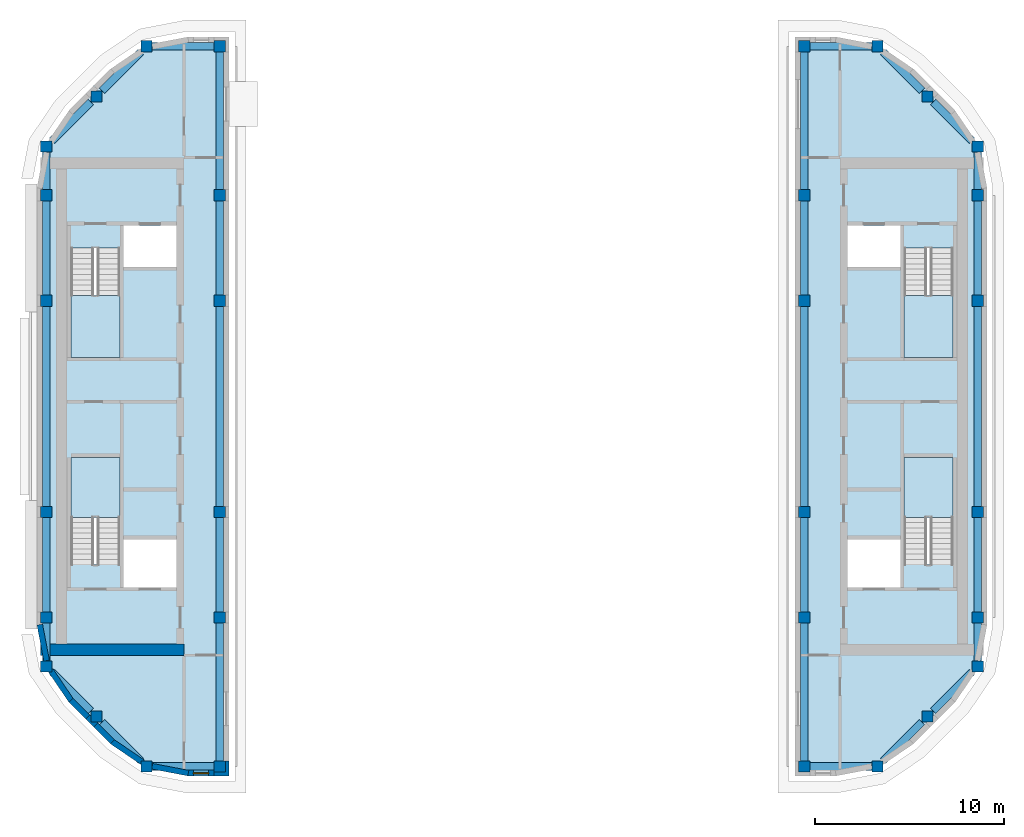
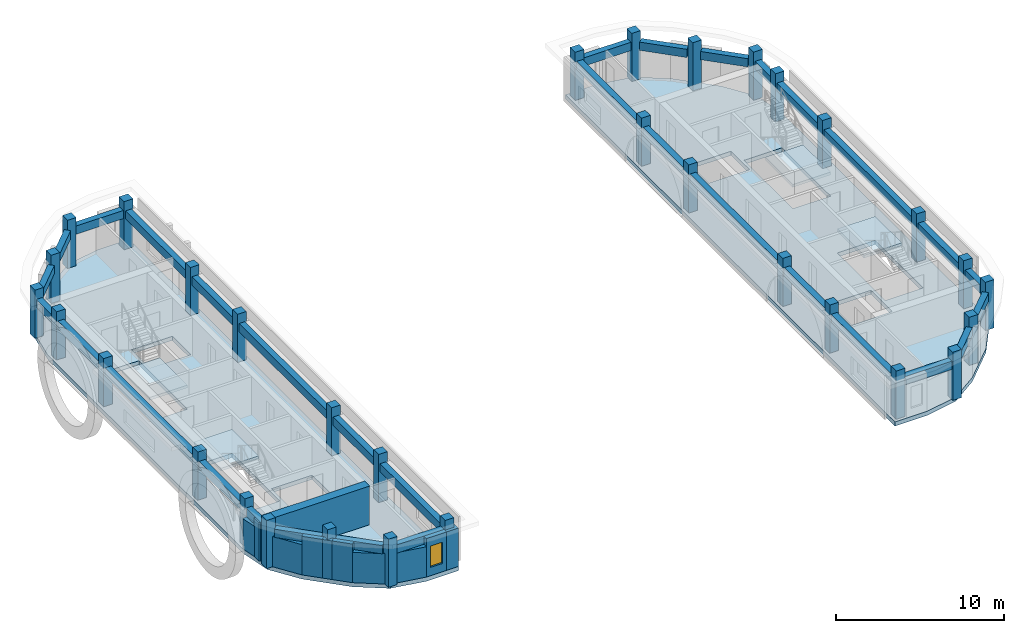
# One storey, part 1 of 12: 32 beams, 32 columns, 10 walls, 6 slabs, 1 window, 1 opening, 4 elements without a shape of their own.
"""IFC4 building model written with IfcOpenShell, lengths in metres."""

from ifc_helpers import new_model, si_unit, direction, frame, frame_2d, origin, origin_2d, place, context, subcontext, project, spatial, polyline, rectangle, outline, extrude, material, layer, layer_set, material_profile, profile_set, type_object, element, fill, aggregate, save


model = new_model("IFC4")

# Units and contexts
model_context = context("Model", 3, precision=1e-05, world=origin(), true_north=direction((0.0, 1.0)))
body_context = subcontext(model_context, "Body", "Model", "MODEL_VIEW")
ifc_project = project(units=[si_unit("LENGTHUNIT", "METRE"), si_unit("AREAUNIT", "SQUARE_METRE"), si_unit("VOLUMEUNIT", "CUBIC_METRE"), si_unit("PLANEANGLEUNIT", "RADIAN"), si_unit("MASSUNIT", "GRAM", prefix="KILO")], contexts=[model_context])

# Site, building, storey
site_placement = place(None, origin())
site = spatial("IfcSite", under=ifc_project, at=site_placement, CompositionType="ELEMENT")
building_placement = place(site_placement, origin())
building = spatial("IfcBuilding", under=site, at=building_placement, Name="Kiln Ring Residences", CompositionType="ELEMENT")
storey_placement = place(building_placement, frame((0.0, 0.0, 310.39990234375)))
storey = spatial("IfcBuildingStorey", under=building, at=storey_placement, Name="L80 Crown", CompositionType="ELEMENT", Elevation=310.39990234375)

# Columns
ifc_material_1 = material(Name="Concrete C60/75", Category="concrete")
ifc_material_profile_1 = material_profile(ifc_material_1, rectangle(XDim=0.60009765625, YDim=0.60009765625, at=origin_2d()), Name="RC600x600")
ifc_profile_set_1 = profile_set([ifc_material_profile_1], Name="Concrete C60/75")
column_type = type_object("IfcColumnType", Name="Crown column RC600x600 C60/75", PredefinedType="COLUMN", material=ifc_profile_set_1)
for number, where, z_axis, x_axis, name in (
    (1, (-24.699951171875, -13.79296875, 0.0), (0.0, 0.0, 1.0), (1.0, 0.0, 0.0), "Crown column L80 Crown 1"),
    (2, (-24.699951171875, -11.199951171875, 0.0), (0.0, 0.0, 1.0), (1.0, 0.0, 0.0), "Crown column L80 Crown 2"),
    (3, (-24.699951171875, -5.60009765625, 0.0), (0.0, 0.0, 1.0), (1.0, 0.0, 0.0), "Crown column L80 Crown 3"),
    (4, (-24.699951171875, 5.60009765625, 0.0), (0.0, 0.0, 1.0), (1.0, 0.0, 0.0), "Crown column L80 Crown 4"),
    (5, (-24.699951171875, 11.199951171875, 0.0), (0.0, 0.0, 1.0), (1.0, 0.0, 0.0), "Crown column L80 Crown 5"),
    (6, (-24.699951171875, 13.79296875, 0.0), (0.0, 0.0, 1.0), (1.0, 0.0, 0.0), "Crown column L80 Crown 6"),
    (7, (-22.04638671875, -16.4462890625, 0.0), (0.0, 0.0, 1.0), (1.0, 0.0, 0.0), "Crown column L80 Crown 7"),
    (8, (-22.04638671875, 16.4462890625, 0.0), (0.0, 0.0, 1.0), (1.0, 0.0, 0.0), "Crown column L80 Crown 8"),
    (9, (-19.392822265625, -19.10009765625, 0.0), (0.0, 0.0, 1.0), (1.0, 0.0, 0.0), "Crown column L80 Crown 9"),
    (10, (-19.392822265625, 19.10009765625, 0.0), (0.0, 0.0, 1.0), (1.0, 0.0, 0.0), "Crown column L80 Crown 10"),
    (11, (-15.5, -19.10009765625, 0.0), (0.0, 0.0, 1.0), (1.0, 0.0, 0.0), "Crown column L80 Crown 11"),
    (12, (-15.5, -11.199951171875, 0.0), (0.0, 0.0, 1.0), (1.0, 0.0, 0.0), "Crown column L80 Crown 12"),
    (13, (-15.5, -5.60009765625, 0.0), (0.0, 0.0, 1.0), (1.0, 0.0, 0.0), "Crown column L80 Crown 13"),
    (14, (-15.5, 5.60009765625, 0.0), (0.0, 0.0, 1.0), (1.0, 0.0, 0.0), "Crown column L80 Crown 14"),
    (15, (-15.5, 11.199951171875, 0.0), (0.0, 0.0, 1.0), (1.0, 0.0, 0.0), "Crown column L80 Crown 15"),
    (16, (-15.5, 19.10009765625, 0.0), (0.0, 0.0, 1.0), (1.0, 0.0, 0.0), "Crown column L80 Crown 16"),
    (17, (15.5, -19.10009765625, 0.0), (0.0, 0.0, 1.0), (1.0, 0.0, 0.0), "Crown column L80 Crown 17"),
    (18, (15.5, -11.199951171875, 0.0), (0.0, 0.0, 1.0), (1.0, 0.0, 0.0), "Crown column L80 Crown 18"),
    (19, (15.5, -5.60009765625, 0.0), (0.0, 0.0, 1.0), (1.0, 0.0, 0.0), "Crown column L80 Crown 19"),
    (20, (15.5, 5.60009765625, 0.0), (0.0, 0.0, 1.0), (1.0, 0.0, 0.0), "Crown column L80 Crown 20"),
    (21, (15.5, 11.199951171875, 0.0), (0.0, 0.0, 1.0), (1.0, 0.0, 0.0), "Crown column L80 Crown 21"),
    (22, (15.5, 19.10009765625, 0.0), (0.0, 0.0, 1.0), (1.0, 0.0, 0.0), "Crown column L80 Crown 22"),
    (23, (19.392822265625, -19.10009765625, 0.0), (0.0, 0.0, 1.0), (1.0, 0.0, 0.0), "Crown column L80 Crown 23"),
    (24, (19.392822265625, 19.10009765625, 0.0), (0.0, 0.0, 1.0), (1.0, 0.0, 0.0), "Crown column L80 Crown 24"),
    (25, (22.04638671875, -16.4462890625, 0.0), (0.0, 0.0, 1.0), (1.0, 0.0, 0.0), "Crown column L80 Crown 25"),
    (26, (22.04638671875, 16.4462890625, 0.0), (0.0, 0.0, 1.0), (1.0, 0.0, 0.0), "Crown column L80 Crown 26"),
    (27, (24.699951171875, -13.79296875, 0.0), (0.0, 0.0, 1.0), (1.0, 0.0, 0.0), "Crown column L80 Crown 27"),
    (28, (24.699951171875, -11.199951171875, 0.0), (0.0, 0.0, 1.0), (1.0, 0.0, 0.0), "Crown column L80 Crown 28"),
    (29, (24.699951171875, -5.60009765625, 0.0), (0.0, 0.0, 1.0), (1.0, 0.0, 0.0), "Crown column L80 Crown 29"),
    (30, (24.699951171875, 5.60009765625, 0.0), (0.0, 0.0, 1.0), (1.0, 0.0, 0.0), "Crown column L80 Crown 30"),
    (31, (24.699951171875, 11.199951171875, 0.0), (0.0, 0.0, 1.0), (1.0, 0.0, 0.0), "Crown column L80 Crown 31"),
    (32, (24.699951171875, 13.79296875, 0.0), (0.0, 0.0, 1.0), (1.0, 0.0, 0.0), "Crown column L80 Crown 32"),
):
    element("IfcColumn", number, at=place(storey_placement, frame(where, z_axis=z_axis, x_axis=x_axis)), inside=storey, type_object=column_type, Name=name, PredefinedType="COLUMN", context=body_context, shape_type="SweptSolid", body=[
        extrude(rectangle(XDim=0.60009765625, YDim=0.60009765625, at=origin_2d()), origin(), (0.0, 0.0, 1.0), 3.5),
    ])

# Beams
ifc_material_2 = material(Name="Concrete C50/60", Category="concrete")
ifc_material_profile_2 = material_profile(ifc_material_2, rectangle(XDim=0.39990234375, YDim=0.60009765625, at=origin_2d()), Name="RC400x600")
ifc_profile_set_2 = profile_set([ifc_material_profile_2], Name="Concrete C50/60")
beam_type = type_object("IfcBeamType", Name="Spandrel beam RC400x600 C50/60", PredefinedType="SPANDREL", material=ifc_profile_set_2)
beam_1_placement = place(storey_placement, frame((-24.699951171875, -5.89990234375, 2.5), z_axis=(0.0, -1.0, 0.0), x_axis=(1.0, 0.0, 0.0)))
element("IfcBeam", 33, at=beam_1_placement, inside=storey, type_object=beam_type, Name="Spandrel beam L80 Crown 1", PredefinedType="SPANDREL", context=body_context, shape_type="SweptSolid", body=[
    extrude(rectangle(XDim=0.39990234375, YDim=0.60009765625, at=origin_2d()), origin(), (0.0, 0.0, 1.0), 5.0),
])
beam_2_placement = place(storey_placement, frame((-24.699951171875, -11.5, 2.5), z_axis=(0.0, -1.0, 0.0), x_axis=(1.0, 0.0, 0.0)))
element("IfcBeam", 34, at=beam_2_placement, inside=storey, type_object=beam_type, Name="Spandrel beam L80 Crown 2", PredefinedType="SPANDREL", context=body_context, shape_type="SweptSolid", body=[
    extrude(rectangle(XDim=0.39990234375, YDim=0.60009765625, at=origin_2d()), origin(), (0.0, 0.0, 1.0), 1.992919921875),
])
for number, where, z_axis, x_axis, name in (
    (35, (-24.39990234375, -14.0927734375, 2.5), (0.707064747792, -0.707148812083, 0.0), (0.707148812083, 0.707064747792, 0.0), "Spandrel beam L80 Crown 3"),
    (36, (-21.746337890625, -16.746337890625, 2.5), (0.707064747792, -0.707148812083, 0.0), (0.707148812083, 0.707064747792, 0.0), "Spandrel beam L80 Crown 4"),
):
    element("IfcBeam", number, at=place(storey_placement, frame(where, z_axis=z_axis, x_axis=x_axis)), inside=storey, type_object=beam_type, Name=name, PredefinedType="SPANDREL", context=body_context, shape_type="SweptSolid", body=[
        extrude(rectangle(XDim=0.39990234375, YDim=0.60009765625, at=origin_2d()), origin(), (0.0, 0.0, 1.0), 2.904296875),
    ])
beam_3_placement = place(storey_placement, frame((-19.093017578125, -19.10009765625, 2.5), z_axis=(1.0, 0.0, 0.0), x_axis=(0.0, 1.0, 0.0)))
element("IfcBeam", 37, at=beam_3_placement, inside=storey, type_object=beam_type, Name="Spandrel beam L80 Crown 5", PredefinedType="SPANDREL", context=body_context, shape_type="SweptSolid", body=[
    extrude(rectangle(XDim=0.39990234375, YDim=0.60009765625, at=origin_2d()), origin(), (0.0, 0.0, 1.0), 3.29296875),
])
beam_4_placement = place(storey_placement, frame((-15.5, -18.800048828125, 2.5), z_axis=(0.0, 1.0, 0.0), x_axis=(-1.0, 0.0, 0.0)))
element("IfcBeam", 38, at=beam_4_placement, inside=storey, type_object=beam_type, Name="Spandrel beam L80 Crown 6", PredefinedType="SPANDREL", context=body_context, shape_type="SweptSolid", body=[
    extrude(rectangle(XDim=0.39990234375, YDim=0.60009765625, at=origin_2d()), origin(), (0.0, 0.0, 1.0), 7.300048828125),
])
beam_5_placement = place(storey_placement, frame((-15.5, -10.89990234375, 2.5), z_axis=(0.0, 1.0, 0.0), x_axis=(-1.0, 0.0, 0.0)))
element("IfcBeam", 39, at=beam_5_placement, inside=storey, type_object=beam_type, Name="Spandrel beam L80 Crown 7", PredefinedType="SPANDREL", context=body_context, shape_type="SweptSolid", body=[
    extrude(rectangle(XDim=0.39990234375, YDim=0.60009765625, at=origin_2d()), origin(), (0.0, 0.0, 1.0), 5.0),
])
beam_6_placement = place(storey_placement, frame((-15.5, -5.300048828125, 2.5), z_axis=(0.0, 1.0, 0.0), x_axis=(-1.0, 0.0, 0.0)))
element("IfcBeam", 40, at=beam_6_placement, inside=storey, type_object=beam_type, Name="Spandrel beam L80 Crown 8", PredefinedType="SPANDREL", context=body_context, shape_type="SweptSolid", body=[
    extrude(rectangle(XDim=0.39990234375, YDim=0.60009765625, at=origin_2d()), origin(), (0.0, 0.0, 1.0), 10.60009765625),
])
beam_7_placement = place(storey_placement, frame((-15.5, 5.89990234375, 2.5), z_axis=(0.0, 1.0, 0.0), x_axis=(-1.0, 0.0, 0.0)))
element("IfcBeam", 41, at=beam_7_placement, inside=storey, type_object=beam_type, Name="Spandrel beam L80 Crown 9", PredefinedType="SPANDREL", context=body_context, shape_type="SweptSolid", body=[
    extrude(rectangle(XDim=0.39990234375, YDim=0.60009765625, at=origin_2d()), origin(), (0.0, 0.0, 1.0), 5.0),
])
beam_8_placement = place(storey_placement, frame((-15.5, 11.5, 2.5), z_axis=(0.0, 1.0, 0.0), x_axis=(-1.0, 0.0, 0.0)))
element("IfcBeam", 42, at=beam_8_placement, inside=storey, type_object=beam_type, Name="Spandrel beam L80 Crown 10", PredefinedType="SPANDREL", context=body_context, shape_type="SweptSolid", body=[
    extrude(rectangle(XDim=0.39990234375, YDim=0.60009765625, at=origin_2d()), origin(), (0.0, 0.0, 1.0), 7.300048828125),
])
beam_9_placement = place(storey_placement, frame((-15.800048828125, 19.10009765625, 2.5), z_axis=(-1.0, 0.0, 0.0), x_axis=(0.0, -1.0, 0.0)))
element("IfcBeam", 43, at=beam_9_placement, inside=storey, type_object=beam_type, Name="Spandrel beam L80 Crown 11", PredefinedType="SPANDREL", context=body_context, shape_type="SweptSolid", body=[
    extrude(rectangle(XDim=0.39990234375, YDim=0.60009765625, at=origin_2d()), origin(), (0.0, 0.0, 1.0), 3.29296875),
])
for number, where, z_axis, x_axis, name in (
    (44, (-19.69287109375, 18.800048828125, 2.5), (-0.707064747792, -0.707148812083, 0.0), (0.707148812083, -0.707064747792, 0.0), "Spandrel beam L80 Crown 12"),
    (45, (-22.346435546875, 16.146484375, 2.5), (-0.707064747792, -0.707148812083, 0.0), (0.707148812083, -0.707064747792, 0.0), "Spandrel beam L80 Crown 13"),
):
    element("IfcBeam", number, at=place(storey_placement, frame(where, z_axis=z_axis, x_axis=x_axis)), inside=storey, type_object=beam_type, Name=name, PredefinedType="SPANDREL", context=body_context, shape_type="SweptSolid", body=[
        extrude(rectangle(XDim=0.39990234375, YDim=0.60009765625, at=origin_2d()), origin(), (0.0, 0.0, 1.0), 2.904296875),
    ])
beam_10_placement = place(storey_placement, frame((-24.699951171875, 13.492919921875, 2.5), z_axis=(0.0, -1.0, 0.0), x_axis=(1.0, 0.0, 0.0)))
element("IfcBeam", 46, at=beam_10_placement, inside=storey, type_object=beam_type, Name="Spandrel beam L80 Crown 14", PredefinedType="SPANDREL", context=body_context, shape_type="SweptSolid", body=[
    extrude(rectangle(XDim=0.39990234375, YDim=0.60009765625, at=origin_2d()), origin(), (0.0, 0.0, 1.0), 1.992919921875),
])
beam_11_placement = place(storey_placement, frame((-24.699951171875, 10.89990234375, 2.5), z_axis=(0.0, -1.0, 0.0), x_axis=(1.0, 0.0, 0.0)))
element("IfcBeam", 47, at=beam_11_placement, inside=storey, type_object=beam_type, Name="Spandrel beam L80 Crown 15", PredefinedType="SPANDREL", context=body_context, shape_type="SweptSolid", body=[
    extrude(rectangle(XDim=0.39990234375, YDim=0.60009765625, at=origin_2d()), origin(), (0.0, 0.0, 1.0), 5.0),
])
beam_12_placement = place(storey_placement, frame((-24.699951171875, 5.300048828125, 2.5), z_axis=(0.0, -1.0, 0.0), x_axis=(1.0, 0.0, 0.0)))
element("IfcBeam", 48, at=beam_12_placement, inside=storey, type_object=beam_type, Name="Spandrel beam L80 Crown 16", PredefinedType="SPANDREL", context=body_context, shape_type="SweptSolid", body=[
    extrude(rectangle(XDim=0.39990234375, YDim=0.60009765625, at=origin_2d()), origin(), (0.0, 0.0, 1.0), 10.60009765625),
])
beam_13_placement = place(storey_placement, frame((15.5, -5.89990234375, 2.5), z_axis=(0.0, -1.0, 0.0), x_axis=(1.0, 0.0, 0.0)))
element("IfcBeam", 49, at=beam_13_placement, inside=storey, type_object=beam_type, Name="Spandrel beam L80 Crown 17", PredefinedType="SPANDREL", context=body_context, shape_type="SweptSolid", body=[
    extrude(rectangle(XDim=0.39990234375, YDim=0.60009765625, at=origin_2d()), origin(), (0.0, 0.0, 1.0), 5.0),
])
beam_14_placement = place(storey_placement, frame((15.5, -11.5, 2.5), z_axis=(0.0, -1.0, 0.0), x_axis=(1.0, 0.0, 0.0)))
element("IfcBeam", 50, at=beam_14_placement, inside=storey, type_object=beam_type, Name="Spandrel beam L80 Crown 18", PredefinedType="SPANDREL", context=body_context, shape_type="SweptSolid", body=[
    extrude(rectangle(XDim=0.39990234375, YDim=0.60009765625, at=origin_2d()), origin(), (0.0, 0.0, 1.0), 7.300048828125),
])
beam_15_placement = place(storey_placement, frame((15.800048828125, -19.10009765625, 2.5), z_axis=(1.0, 0.0, 0.0), x_axis=(0.0, 1.0, 0.0)))
element("IfcBeam", 51, at=beam_15_placement, inside=storey, type_object=beam_type, Name="Spandrel beam L80 Crown 19", PredefinedType="SPANDREL", context=body_context, shape_type="SweptSolid", body=[
    extrude(rectangle(XDim=0.39990234375, YDim=0.60009765625, at=origin_2d()), origin(), (0.0, 0.0, 1.0), 3.29296875),
])
for number, where, z_axis, x_axis, name in (
    (52, (19.69287109375, -18.800048828125, 2.5), (0.707064747792, 0.707148812083, 0.0), (-0.707148812083, 0.707064747792, 0.0), "Spandrel beam L80 Crown 20"),
    (53, (22.346435546875, -16.146484375, 2.5), (0.707064747792, 0.707148812083, 0.0), (-0.707148812083, 0.707064747792, 0.0), "Spandrel beam L80 Crown 21"),
):
    element("IfcBeam", number, at=place(storey_placement, frame(where, z_axis=z_axis, x_axis=x_axis)), inside=storey, type_object=beam_type, Name=name, PredefinedType="SPANDREL", context=body_context, shape_type="SweptSolid", body=[
        extrude(rectangle(XDim=0.39990234375, YDim=0.60009765625, at=origin_2d()), origin(), (0.0, 0.0, 1.0), 2.904296875),
    ])
beam_16_placement = place(storey_placement, frame((24.699951171875, -13.492919921875, 2.5), z_axis=(0.0, 1.0, 0.0), x_axis=(-1.0, 0.0, 0.0)))
element("IfcBeam", 54, at=beam_16_placement, inside=storey, type_object=beam_type, Name="Spandrel beam L80 Crown 22", PredefinedType="SPANDREL", context=body_context, shape_type="SweptSolid", body=[
    extrude(rectangle(XDim=0.39990234375, YDim=0.60009765625, at=origin_2d()), origin(), (0.0, 0.0, 1.0), 1.992919921875),
])
beam_17_placement = place(storey_placement, frame((24.699951171875, -10.89990234375, 2.5), z_axis=(0.0, 1.0, 0.0), x_axis=(-1.0, 0.0, 0.0)))
element("IfcBeam", 55, at=beam_17_placement, inside=storey, type_object=beam_type, Name="Spandrel beam L80 Crown 23", PredefinedType="SPANDREL", context=body_context, shape_type="SweptSolid", body=[
    extrude(rectangle(XDim=0.39990234375, YDim=0.60009765625, at=origin_2d()), origin(), (0.0, 0.0, 1.0), 5.0),
])
beam_18_placement = place(storey_placement, frame((24.699951171875, -5.300048828125, 2.5), z_axis=(0.0, 1.0, 0.0), x_axis=(-1.0, 0.0, 0.0)))
element("IfcBeam", 56, at=beam_18_placement, inside=storey, type_object=beam_type, Name="Spandrel beam L80 Crown 24", PredefinedType="SPANDREL", context=body_context, shape_type="SweptSolid", body=[
    extrude(rectangle(XDim=0.39990234375, YDim=0.60009765625, at=origin_2d()), origin(), (0.0, 0.0, 1.0), 10.60009765625),
])
beam_19_placement = place(storey_placement, frame((24.699951171875, 5.89990234375, 2.5), z_axis=(0.0, 1.0, 0.0), x_axis=(-1.0, 0.0, 0.0)))
element("IfcBeam", 57, at=beam_19_placement, inside=storey, type_object=beam_type, Name="Spandrel beam L80 Crown 25", PredefinedType="SPANDREL", context=body_context, shape_type="SweptSolid", body=[
    extrude(rectangle(XDim=0.39990234375, YDim=0.60009765625, at=origin_2d()), origin(), (0.0, 0.0, 1.0), 5.0),
])
beam_20_placement = place(storey_placement, frame((24.699951171875, 11.5, 2.5), z_axis=(0.0, 1.0, 0.0), x_axis=(-1.0, 0.0, 0.0)))
element("IfcBeam", 58, at=beam_20_placement, inside=storey, type_object=beam_type, Name="Spandrel beam L80 Crown 26", PredefinedType="SPANDREL", context=body_context, shape_type="SweptSolid", body=[
    extrude(rectangle(XDim=0.39990234375, YDim=0.60009765625, at=origin_2d()), origin(), (0.0, 0.0, 1.0), 1.992919921875),
])
for number, where, z_axis, x_axis, name in (
    (59, (24.39990234375, 14.0927734375, 2.5), (-0.707064747792, 0.707148812083, 0.0), (-0.707148812083, -0.707064747792, 0.0), "Spandrel beam L80 Crown 27"),
    (60, (21.746337890625, 16.746337890625, 2.5), (-0.707064747792, 0.707148812083, 0.0), (-0.707148812083, -0.707064747792, 0.0), "Spandrel beam L80 Crown 28"),
):
    element("IfcBeam", number, at=place(storey_placement, frame(where, z_axis=z_axis, x_axis=x_axis)), inside=storey, type_object=beam_type, Name=name, PredefinedType="SPANDREL", context=body_context, shape_type="SweptSolid", body=[
        extrude(rectangle(XDim=0.39990234375, YDim=0.60009765625, at=origin_2d()), origin(), (0.0, 0.0, 1.0), 2.904296875),
    ])
beam_21_placement = place(storey_placement, frame((19.093017578125, 19.10009765625, 2.5), z_axis=(-1.0, 0.0, 0.0), x_axis=(0.0, -1.0, 0.0)))
element("IfcBeam", 61, at=beam_21_placement, inside=storey, type_object=beam_type, Name="Spandrel beam L80 Crown 29", PredefinedType="SPANDREL", context=body_context, shape_type="SweptSolid", body=[
    extrude(rectangle(XDim=0.39990234375, YDim=0.60009765625, at=origin_2d()), origin(), (0.0, 0.0, 1.0), 3.29296875),
])
beam_22_placement = place(storey_placement, frame((15.5, 18.800048828125, 2.5), z_axis=(0.0, -1.0, 0.0), x_axis=(1.0, 0.0, 0.0)))
element("IfcBeam", 62, at=beam_22_placement, inside=storey, type_object=beam_type, Name="Spandrel beam L80 Crown 30", PredefinedType="SPANDREL", context=body_context, shape_type="SweptSolid", body=[
    extrude(rectangle(XDim=0.39990234375, YDim=0.60009765625, at=origin_2d()), origin(), (0.0, 0.0, 1.0), 7.300048828125),
])
beam_23_placement = place(storey_placement, frame((15.5, 10.89990234375, 2.5), z_axis=(0.0, -1.0, 0.0), x_axis=(1.0, 0.0, 0.0)))
element("IfcBeam", 63, at=beam_23_placement, inside=storey, type_object=beam_type, Name="Spandrel beam L80 Crown 31", PredefinedType="SPANDREL", context=body_context, shape_type="SweptSolid", body=[
    extrude(rectangle(XDim=0.39990234375, YDim=0.60009765625, at=origin_2d()), origin(), (0.0, 0.0, 1.0), 5.0),
])
beam_24_placement = place(storey_placement, frame((15.5, 5.300048828125, 2.5), z_axis=(0.0, -1.0, 0.0), x_axis=(1.0, 0.0, 0.0)))
element("IfcBeam", 64, at=beam_24_placement, inside=storey, type_object=beam_type, Name="Spandrel beam L80 Crown 32", PredefinedType="SPANDREL", context=body_context, shape_type="SweptSolid", body=[
    extrude(rectangle(XDim=0.39990234375, YDim=0.60009765625, at=origin_2d()), origin(), (0.0, 0.0, 1.0), 10.60009765625),
])

# Stair, slab
ifc_material_3 = material(Name="Concrete C40/50", Category="concrete")
stair_type = type_object("IfcStairType", Name="CORE-STAIR", PredefinedType="HALF_TURN_STAIR", material=ifc_material_3)
placement_1 = place(storey_placement, origin())
stair_1 = element("IfcStair", 65, at=placement_1, inside=storey, type_object=stair_type, Name="L80 Crown stair W-STN", PredefinedType="HALF_TURN_STAIR")
ifc_material_4 = material(Name="Concrete C40/50", Category="concrete")
ifc_layer_1 = layer(ifc_material_4, 0.199951171875)
ifc_layer_set_1 = layer_set([ifc_layer_1], Name="CORE-STAIR-LANDING")
slab_type_1 = type_object("IfcSlabType", Name="CORE-STAIR-LANDING", PredefinedType="LANDING", material=ifc_layer_set_1)
placement_2 = place(storey_placement, frame((0.0, 0.0, 1.550048828125)))
slab_1 = element("IfcSlab", 66, at=placement_2, type_object=slab_type_1, Name="W-STN landing 1", PredefinedType="LANDING", context=body_context, shape_type="SweptSolid", body=[
    extrude(outline(polyline([(-23.39990234375, 5.8798828125), (-23.39990234375, 2.60009765625), (-20.800048828125, 2.60009765625), (-20.800048828125, 5.8798828125), (-23.39990234375, 5.8798828125)])), origin(), (0.0, 0.0, 1.0), 0.199951171875),
])
aggregate(stair_1, [slab_1])

stair_2 = element("IfcStair", 67, at=placement_1, inside=storey, type_object=stair_type, Name="L80 Crown stair W-STS", PredefinedType="HALF_TURN_STAIR")
slab_2 = element("IfcSlab", 68, at=placement_2, type_object=slab_type_1, Name="W-STS landing 1", PredefinedType="LANDING", context=body_context, shape_type="SweptSolid", body=[
    extrude(outline(polyline([(-20.800048828125, -5.8798828125), (-20.800048828125, -2.699951171875), (-23.39990234375, -2.699951171875), (-23.39990234375, -5.8798828125), (-20.800048828125, -5.8798828125)])), origin(), (0.0, 0.0, 1.0), 0.199951171875),
])
aggregate(stair_2, [slab_2])

stair_3 = element("IfcStair", 69, at=placement_1, inside=storey, type_object=stair_type, Name="L80 Crown stair E-STN", PredefinedType="HALF_TURN_STAIR")
slab_3 = element("IfcSlab", 70, at=placement_2, type_object=slab_type_1, Name="E-STN landing 1", PredefinedType="LANDING", context=body_context, shape_type="SweptSolid", body=[
    extrude(outline(polyline([(20.800048828125, 5.8798828125), (20.800048828125, 2.60009765625), (23.39990234375, 2.60009765625), (23.39990234375, 5.8798828125), (20.800048828125, 5.8798828125)])), origin(), (0.0, 0.0, 1.0), 0.199951171875),
])
aggregate(stair_3, [slab_3])

stair_4 = element("IfcStair", 71, at=placement_1, inside=storey, type_object=stair_type, Name="L80 Crown stair E-STS", PredefinedType="HALF_TURN_STAIR")
slab_4 = element("IfcSlab", 72, at=placement_2, type_object=slab_type_1, Name="E-STS landing 1", PredefinedType="LANDING", context=body_context, shape_type="SweptSolid", body=[
    extrude(outline(polyline([(23.39990234375, -5.8798828125), (23.39990234375, -2.699951171875), (20.800048828125, -2.699951171875), (20.800048828125, -5.8798828125), (23.39990234375, -5.8798828125)])), origin(), (0.0, 0.0, 1.0), 0.199951171875),
])
aggregate(stair_4, [slab_4])

# Slabs
ifc_material_5 = material(Name="Concrete C40/50", Category="concrete")
ifc_layer_2 = layer(ifc_material_5, 0.300048828125)
ifc_layer_set_2 = layer_set([ifc_layer_2], Name="Floor slab 300")
slab_type_2 = type_object("IfcSlabType", Name="Floor slab 300", PredefinedType="FLOOR", material=ifc_layer_set_2)
placement_3 = place(storey_placement, frame((0.0, 0.0, -0.2998046875)))
element("IfcSlab", 73, at=placement_3, inside=storey, type_object=slab_type_2, Name="Floor slab L80 Crown 1", PredefinedType="FLOOR", context=body_context, shape_type="SweptSolid", body=[
    extrude(outline(polyline([(-21.297119140625, -17.90283203125), (-19.42431640625, -19.17578125), (-17.199951171875, -19.60009765625), (-15.0, -19.60009765625), (-15.0, 19.60009765625), (-17.199951171875, 19.60009765625), (-19.42431640625, 19.17578125), (-21.297119140625, 17.90283203125), (-23.5029296875, 15.697021484375), (-24.775634765625, 13.82421875), (-25.199951171875, 11.60009765625), (-25.199951171875, -11.60009765625), (-24.775634765625, -13.82421875), (-23.5029296875, -15.697021484375), (-21.297119140625, -17.90283203125)]), holes=[polyline([(-17.800048828125, -7.050048828125), (-17.800048828125, -9.60009765625), (-20.60009765625, -9.60009765625), (-20.60009765625, -7.050048828125), (-17.800048828125, -7.050048828125)]), polyline([(-17.800048828125, 9.60009765625), (-17.800048828125, 7.39990234375), (-20.60009765625, 7.39990234375), (-20.60009765625, 9.60009765625), (-17.800048828125, 9.60009765625)]), polyline([(-20.800048828125, -2.699951171875), (-20.800048828125, -8.39794921875), (-23.39990234375, -8.39794921875), (-23.39990234375, -2.699951171875), (-20.800048828125, -2.699951171875)]), polyline([(-20.800048828125, 8.39794921875), (-20.800048828125, 2.60009765625), (-23.39990234375, 2.60009765625), (-23.39990234375, 8.39794921875), (-20.800048828125, 8.39794921875)])]), origin(), (0.0, 0.0, 1.0), 0.2998046875),
])
element("IfcSlab", 74, at=placement_3, inside=storey, type_object=slab_type_2, Name="Floor slab L80 Crown 2", PredefinedType="FLOOR", context=body_context, shape_type="SweptSolid", body=[
    extrude(outline(polyline([(15.0, 19.60009765625), (15.0, -19.60009765625), (17.199951171875, -19.60009765625), (19.42431640625, -19.17578125), (21.297119140625, -17.90283203125), (23.5029296875, -15.697021484375), (24.775634765625, -13.82421875), (25.199951171875, -11.60009765625), (25.199951171875, 11.60009765625), (24.775634765625, 13.82421875), (23.5029296875, 15.697021484375), (21.297119140625, 17.90283203125), (19.42431640625, 19.17578125), (17.199951171875, 19.60009765625), (15.0, 19.60009765625)]), holes=[polyline([(23.39990234375, -8.39794921875), (20.800048828125, -8.39794921875), (20.800048828125, -2.699951171875), (23.39990234375, -2.699951171875), (23.39990234375, -8.39794921875)]), polyline([(23.39990234375, 2.60009765625), (20.800048828125, 2.60009765625), (20.800048828125, 8.39794921875), (23.39990234375, 8.39794921875), (23.39990234375, 2.60009765625)]), polyline([(20.60009765625, -9.60009765625), (17.800048828125, -9.60009765625), (17.800048828125, -7.050048828125), (20.60009765625, -7.050048828125), (20.60009765625, -9.60009765625)]), polyline([(20.60009765625, 7.39990234375), (17.800048828125, 7.39990234375), (17.800048828125, 9.60009765625), (20.60009765625, 9.60009765625), (20.60009765625, 7.39990234375)])]), origin(), (0.0, 0.0, 1.0), 0.2998046875),
])

# Walls
ifc_material_6 = material(Name="Concrete C60/75", Category="concrete")
ifc_layer_3 = layer(ifc_material_6, 0.60009765625)
ifc_layer_set_3 = layer_set([ifc_layer_3], Name="CORE-WALL-RC600")
wall_type_1 = type_object("IfcWallType", Name="CORE-WALL-RC600", PredefinedType="SHEAR", material=ifc_layer_set_3)
wall_1_placement = place(storey_placement, frame((-17.39990234375, -12.89990234375, 0.0), z_axis=(0.0, 0.0, 1.0), x_axis=(-1.0, 0.0, 0.0)))
element("IfcWall", 75, at=wall_1_placement, inside=storey, type_object=wall_type_1, Name="Core wall west L80 Crown 5", PredefinedType="SHEAR", context=body_context, shape_type="SweptSolid", body=[
    extrude(rectangle(XDim=7.60009765625, YDim=0.60009765625, at=frame_2d((3.800048828125, 0.0))), origin(), (0.0, 0.0, 1.0), 2.800048828125),
])
ifc_material_7 = material(Name="Brick masonry, dark clay brick", Category="masonry")
ifc_layer_4 = layer(ifc_material_7, 0.300048828125)
ifc_layer_set_4 = layer_set([ifc_layer_4], Name="EW-300 BRICK WALL")
wall_type_2 = type_object("IfcWallType", Name="EW-300 BRICK WALL", PredefinedType="SOLIDWALL", material=ifc_layer_set_4)
for number, where, z_axis, x_axis, name in (
    (76, (-21.212646484375, -17.77880859375, 0.0), (0.0, 0.0, 1.0), (0.827022075481, -0.562169446579, 0.0), "Facade wall L80 Crown 1"),
    (77, (-19.085205078125, -19.087646484375, 0.0), (0.0, 0.0, 1.0), (0.982286967073, -0.187382801553, 0.0), "Facade wall L80 Crown 2"),
):
    element("IfcWall", number, at=place(storey_placement, frame(where, z_axis=z_axis, x_axis=x_axis)), inside=storey, type_object=wall_type_2, Name=name, PredefinedType="SOLIDWALL", context=body_context, shape_type="SweptSolid", body=[
        extrude(rectangle(XDim=1.94775390625, YDim=0.300048828125, at=frame_2d((0.973876953125, 0.0))), origin(), (0.0, 0.0, 1.0), 2.2001953125),
    ])

# Wall, opening, window
wall_2_placement = place(storey_placement, frame((-17.199951171875, -19.449951171875, 0.0), z_axis=(0.0, 0.0, 1.0), x_axis=(1.0, 0.0, 0.0)))
wall_2 = element("IfcWall", 78, at=wall_2_placement, inside=storey, type_object=wall_type_2, Name="Facade wall L80 Crown 3", PredefinedType="SOLIDWALL", context=body_context, shape_type="SweptSolid", body=[
    extrude(rectangle(XDim=1.39990234375, YDim=0.300048828125, at=frame_2d((0.699951171875, 0.0))), origin(), (0.0, 0.0, 1.0), 2.800048828125),
])
opening_placement = place(wall_2_placement, frame((0.300048828125, 0.0, 0.60009765625)))
opening = element("IfcOpeningElement", 79, at=opening_placement, cuts=wall_2, Name="Opening W5", PredefinedType="OPENING", context=body_context, shape_type="SweptSolid", body=[
    extrude(rectangle(XDim=0.800048828125, YDim=1.550048828125, at=frame_2d((0.39990234375, 0.77490234375))), frame((0.0, 0.159912109375, 0.0), z_axis=(0.0, -1.0, 0.0), x_axis=(1.0, 0.0, 0.0)), (0.0, 0.0, 1.0), 0.320068359375),
])
ifc_material_8 = material(Name="Aluminium frame with double glazing", Category="aluminium")
window_type = type_object("IfcWindowType", Name="WINDOW 800 x 1550", PartitioningType="SINGLE_PANEL", PredefinedType="WINDOW", material=ifc_material_8)
window_placement = place(opening_placement, origin())
window = element("IfcWindow", 80, at=window_placement, inside=storey, type_object=window_type, Name="Window L80 Crown 1", OverallHeight=1.550048828125, OverallWidth=0.800048828125, PartitioningType="SINGLE_PANEL", PredefinedType="WINDOW", context=body_context, shape_type="SweptSolid", body=[
    extrude(rectangle(XDim=0.800048828125, YDim=1.550048828125, at=frame_2d((0.39990234375, 0.77490234375))), frame((0.0, 0.030029296875, 0.0), z_axis=(0.0, -1.0, 0.0), x_axis=(1.0, 0.0, 0.0)), (0.0, 0.0, 1.0), 0.06005859375),
])
fill(opening, window)

# Walls
wall_3_placement = place(storey_placement, frame((-25.052490234375, -11.57275390625, 0.0), z_axis=(0.0, 0.0, 1.0), x_axis=(0.187354129902, -0.982292436095, 0.0)))
element("IfcWall", 81, at=wall_3_placement, inside=storey, type_object=wall_type_2, Name="Facade wall L80 Crown 19", PredefinedType="SOLIDWALL", context=body_context, shape_type="SweptSolid", body=[
    extrude(rectangle(XDim=1.94677734375, YDim=0.300048828125, at=frame_2d((0.973388671875, 0.0))), origin(), (0.0, 0.0, 1.0), 2.2001953125),
])
wall_4_placement = place(storey_placement, frame((-24.4736328125, -14.001708984375, 0.0), z_axis=(0.0, 0.0, 1.0), x_axis=(0.562025435703, -0.827119948752, 0.0)))
element("IfcWall", 82, at=wall_4_placement, inside=storey, type_object=wall_type_2, Name="Facade wall L80 Crown 20", PredefinedType="SOLIDWALL", context=body_context, shape_type="SweptSolid", body=[
    extrude(rectangle(XDim=1.94775390625, YDim=0.300048828125, at=frame_2d((0.973876953125, 0.0))), origin(), (0.0, 0.0, 1.0), 2.2001953125),
])
for number, where, z_axis, x_axis, name in (
    (83, (-23.39697265625, -15.591064453125, 0.0), (0.0, 0.0, 1.0), (0.707203678312, -0.707009870781, 0.0), "Facade wall L80 Crown 21"),
    (84, (-22.081787109375, -16.906005859375, 0.0), (0.0, 0.0, 1.0), (0.707106781187, -0.707106781187, 0.0), "Facade wall L80 Crown 22"),
):
    element("IfcWall", number, at=place(storey_placement, frame(where, z_axis=z_axis, x_axis=x_axis)), inside=storey, type_object=wall_type_2, Name=name, PredefinedType="SOLIDWALL", context=body_context, shape_type="SweptSolid", body=[
        extrude(rectangle(XDim=1.259765625, YDim=0.300048828125, at=frame_2d((0.6298828125, 0.0))), origin(), (0.0, 0.0, 1.0), 2.800048828125),
    ])
element("IfcWall", 85, at=placement_1, inside=storey, type_object=wall_type_2, Name="Corner wall L80 Crown 11", PredefinedType="SOLIDWALL", context=body_context, shape_type="SweptSolid", body=[
    extrude(outline(polyline([(-15.800048828125, -19.60009765625), (-15.0, -19.60009765625), (-15.0, -18.800048828125), (-15.199951171875, -18.800048828125), (-15.199951171875, -19.39990234375), (-15.800048828125, -19.39990234375), (-15.800048828125, -19.60009765625)])), origin(), (0.0, 0.0, 1.0), 2.800048828125),
])
element("IfcWall", 86, at=placement_1, inside=storey, type_object=wall_type_2, Name="Corner wall L80 Crown 12", PredefinedType="SOLIDWALL", context=body_context, shape_type="SweptSolid", body=[
    extrude(outline(polyline([(-22.39990234375, -16.375732421875), (-22.612060546875, -16.587890625), (-22.18798828125, -17.01220703125), (-21.9755859375, -16.800048828125), (-22.029296875, -16.746337890625), (-22.346435546875, -16.746337890625), (-22.346435546875, -16.42919921875), (-22.39990234375, -16.375732421875)])), origin(), (0.0, 0.0, 1.0), 2.800048828125),
])

save(model, "model.ifc")
